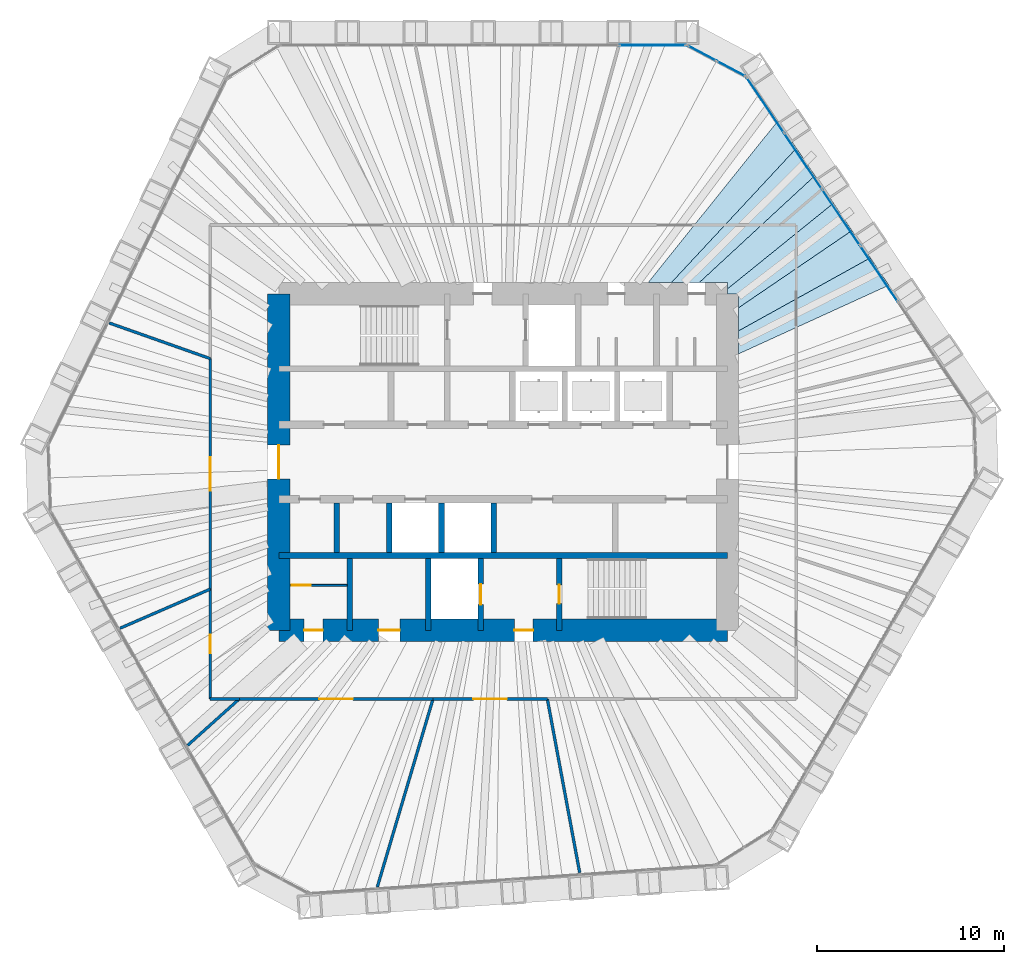
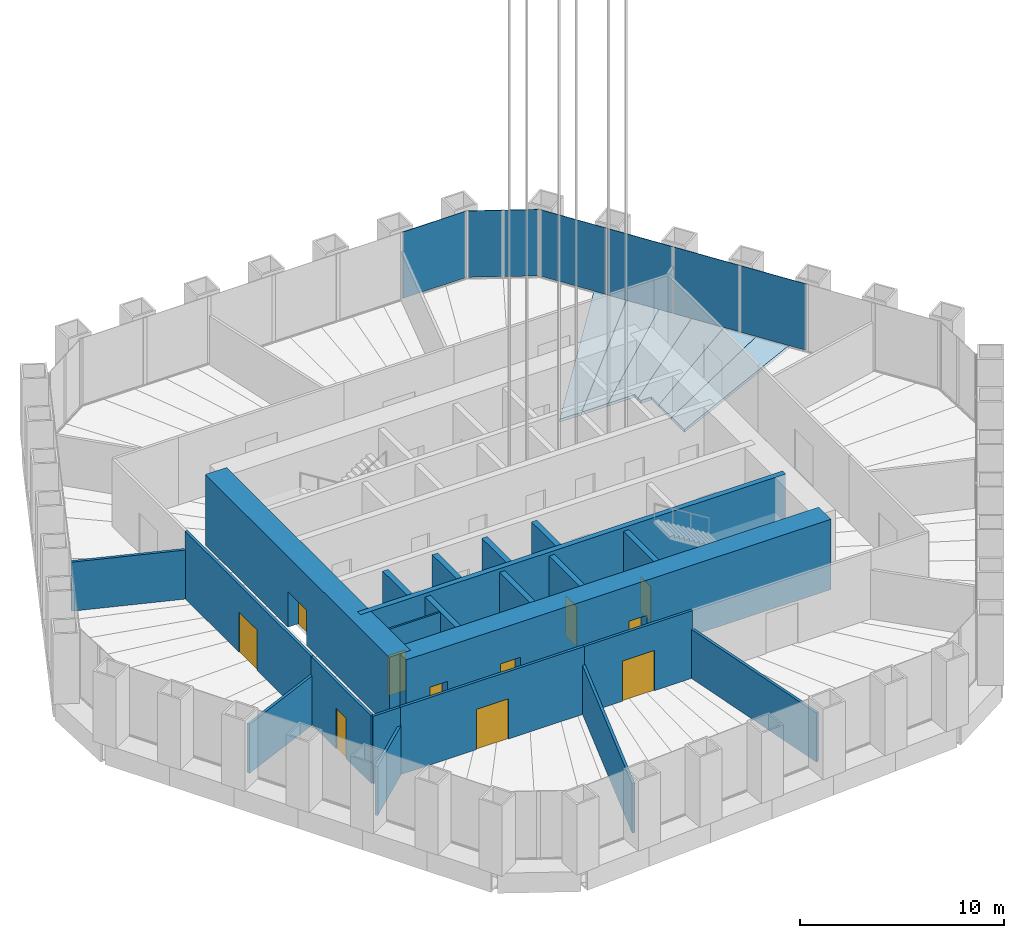
# One storey, part 10 of 20: 22 walls, 11 doors, 7 plates, 6 slabs, 11 openings, 3 elements without a shape of their own.
"""IFC4 building model written with IfcOpenShell, lengths in metres."""

from ifc_helpers import new_model, si_unit, direction, frame, frame_2d, origin, origin_2d, place, context, subcontext, project, spatial, polyline, rectangle, outline, extrude, material, layer, layer_set, type_object, element, fill, aggregate, save


model = new_model("IFC4")

# Units and contexts
model_context = context("Model", 3, precision=1e-05, world=origin(), true_north=direction((0.0, 1.0)))
body_context = subcontext(model_context, "Body", "Model", "MODEL_VIEW")
ifc_project = project(units=[si_unit("LENGTHUNIT", "METRE"), si_unit("AREAUNIT", "SQUARE_METRE"), si_unit("VOLUMEUNIT", "CUBIC_METRE"), si_unit("PLANEANGLEUNIT", "RADIAN"), si_unit("MASSUNIT", "GRAM", prefix="KILO")], contexts=[model_context])

# Site, building, storey
site_placement = place(None, origin())
site = spatial("IfcSite", under=ifc_project, at=site_placement, CompositionType="ELEMENT")
building_placement = place(site_placement, origin())
building = spatial("IfcBuilding", under=site, at=building_placement, Name="Qingtian Harvest Tower", CompositionType="ELEMENT")
storey_placement = place(building_placement, frame((0.0, 0.0, 180.39990234375)))
storey = spatial("IfcBuildingStorey", under=building, at=storey_placement, Name="L38", CompositionType="ELEMENT", Elevation=180.39990234375)

# Slabs
ifc_material_1 = material(Name="Concrete fc' 35 MPa", Category="concrete")
ifc_layer_1 = layer(ifc_material_1, 0.169921875)
ifc_layer_set_1 = layer_set([ifc_layer_1], Name="Composite floor slab FS17 170")
slab_type = type_object("IfcSlabType", Name="Composite floor slab FS17 170", PredefinedType="FLOOR", material=ifc_layer_set_1)
slab_1_placement = place(storey_placement, frame((0.0, 0.0, -0.169921875)))
element("IfcSlab", 1, at=slab_1_placement, inside=storey, type_object=slab_type, Name="Floor slab L38 panel D45", PredefinedType="FLOOR", context=body_context, shape_type="SweptSolid", body=[
    extrude(outline(polyline([(12.60009765625, 7.023681640625), (19.65234375, 10.9306640625), (20.64208984375, 9.46337890625), (12.60009765625, 5.7900390625), (12.60009765625, 7.023681640625)])), origin(), (0.0, 0.0, 1.0), 0.169921875),
])
slab_2_placement = place(storey_placement, frame((0.0, 0.0, -0.169921875)))
element("IfcSlab", 2, at=slab_2_placement, inside=storey, type_object=slab_type, Name="Floor slab L38 panel D46", PredefinedType="FLOOR", context=body_context, shape_type="SweptSolid", body=[
    extrude(outline(polyline([(12.60009765625, 8.260498046875), (18.667236328125, 12.391357421875), (19.65234375, 10.9306640625), (12.60009765625, 7.023681640625), (12.60009765625, 8.260498046875)])), origin(), (0.0, 0.0, 1.0), 0.169921875),
])
slab_3_placement = place(storey_placement, frame((0.0, 0.0, -0.169921875)))
element("IfcSlab", 3, at=slab_3_placement, inside=storey, type_object=slab_type, Name="Floor slab L38 panel D47", PredefinedType="FLOOR", context=body_context, shape_type="SweptSolid", body=[
    extrude(outline(polyline([(12.60009765625, 9.0), (12.0, 9.0), (12.0, 9.2666015625), (17.6787109375, 13.857177734375), (18.667236328125, 12.391357421875), (12.60009765625, 8.260498046875), (12.60009765625, 9.0)])), origin(), (0.0, 0.0, 1.0), 0.169921875),
])
slab_4_placement = place(storey_placement, frame((0.0, 0.0, -0.169921875)))
element("IfcSlab", 4, at=slab_4_placement, inside=storey, type_object=slab_type, Name="Floor slab L38 panel D48", PredefinedType="FLOOR", context=body_context, shape_type="SweptSolid", body=[
    extrude(outline(polyline([(12.0, 9.60009765625), (10.48583984375, 9.60009765625), (16.68505859375, 15.330078125), (17.6787109375, 13.857177734375), (12.0, 9.2666015625), (12.0, 9.60009765625)])), origin(), (0.0, 0.0, 1.0), 0.169921875),
])
slab_5_placement = place(storey_placement, frame((0.0, 0.0, -0.169921875)))
element("IfcSlab", 5, at=slab_5_placement, inside=storey, type_object=slab_type, Name="Floor slab L38 panel D49", PredefinedType="FLOOR", context=body_context, shape_type="SweptSolid", body=[
    extrude(outline(polyline([(8.998291015625, 9.60009765625), (15.695068359375, 16.797607421875), (16.68505859375, 15.330078125), (10.48583984375, 9.60009765625), (8.998291015625, 9.60009765625)])), origin(), (0.0, 0.0, 1.0), 0.169921875),
])
slab_6_placement = place(storey_placement, frame((0.0, 0.0, -0.169921875)))
element("IfcSlab", 6, at=slab_6_placement, inside=storey, type_object=slab_type, Name="Floor slab L38 panel D50", PredefinedType="FLOOR", context=body_context, shape_type="SweptSolid", body=[
    extrude(outline(polyline([(7.751220703125, 9.60009765625), (14.705322265625, 18.26513671875), (15.695068359375, 16.797607421875), (8.998291015625, 9.60009765625), (7.751220703125, 9.60009765625)])), origin(), (0.0, 0.0, 1.0), 0.169921875),
])

# Curtain wall, plate
ifc_material_2 = material(Name="Bronze-anodised aluminium curtain wall", Category="aluminium")
curtain_wall_type = type_object("IfcCurtainWallType", Name="Curtain wall CW3 sky lobby", PredefinedType="USERDEFINED", material=ifc_material_2)
curtain_wall_1_placement = place(storey_placement, origin())
curtain_wall_1 = element("IfcCurtainWall", 7, at=curtain_wall_1_placement, inside=storey, type_object=curtain_wall_type, Name="Curtain wall CW3 L38 N0-5", ObjectType="RECESSED CURTAIN WALL", PredefinedType="USERDEFINED")
ifc_material_3 = material(Name="Bronze-tinted laminated insulating glass", Category="glass")
ifc_layer_2 = layer(ifc_material_3, 0.030029296875)
ifc_layer_set_2 = layer_set([ifc_layer_2], Name="Glazed panel CWP tinted IGU")
plate_type = type_object("IfcPlateType", Name="Glazed panel CWP tinted IGU", PredefinedType="CURTAIN_PANEL", material=ifc_layer_set_2)
plate_1_placement = place(storey_placement, frame((7.996337890625, 22.300048828125, 0.06494140625), z_axis=(0.0, 0.0, 1.0), x_axis=(1.0, 0.0, 0.0)))
plate_1 = element("IfcPlate", 8, at=plate_1_placement, type_object=plate_type, Name="CW3 panel 6.1", PredefinedType="CURTAIN_PANEL", context=body_context, shape_type="SweptSolid", body=[
    extrude(rectangle(XDim=3.5361328125, YDim=0.030029296875, at=origin_2d()), origin(), (0.0, 0.0, 1.0), 3.965087890625),
])
aggregate(curtain_wall_1, [plate_1])

# Curtain wall, plates
curtain_wall_2_placement = place(storey_placement, origin())
curtain_wall_2 = element("IfcCurtainWall", 9, at=curtain_wall_2_placement, inside=storey, type_object=curtain_wall_type, Name="Curtain wall CW3 L38 NC", ObjectType="RECESSED CURTAIN WALL", PredefinedType="USERDEFINED")
plate_2_placement = place(storey_placement, frame((10.634033203125, 21.8720703125, 0.06494140625), z_axis=(0.0, 0.0, 1.0), x_axis=(0.882947592859, -0.469471562786, 0.0)))
plate_2 = element("IfcPlate", 10, at=plate_2_placement, type_object=plate_type, Name="CW3 panel 1.1", PredefinedType="CURTAIN_PANEL", context=body_context, shape_type="SweptSolid", body=[
    extrude(rectangle(XDim=1.69287109375, YDim=0.030029296875, at=origin_2d()), origin(), (0.0, 0.0, 1.0), 3.965087890625),
])
plate_3_placement = place(storey_placement, frame((12.186279296875, 21.046875, 0.06494140625), z_axis=(0.0, 0.0, 1.0), x_axis=(0.882947592859, -0.469471562786, 0.0)))
plate_3 = element("IfcPlate", 11, at=plate_3_placement, type_object=plate_type, Name="CW3 panel 2.1", PredefinedType="CURTAIN_PANEL", context=body_context, shape_type="SweptSolid", body=[
    extrude(rectangle(XDim=1.69287109375, YDim=0.030029296875, at=origin_2d()), origin(), (0.0, 0.0, 1.0), 3.965087890625),
])
aggregate(curtain_wall_2, [plate_2, plate_3])

curtain_wall_3_placement = place(storey_placement, origin())
curtain_wall_3 = element("IfcCurtainWall", 12, at=curtain_wall_3_placement, inside=storey, type_object=curtain_wall_type, Name="Curtain wall CW3 L38 NE0-5", ObjectType="RECESSED CURTAIN WALL", PredefinedType="USERDEFINED")
plate_4_placement = place(storey_placement, frame((14.01611328125, 19.09912109375, 0.06494140625), z_axis=(0.0, 0.0, 1.0), x_axis=(0.559192903471, -0.829037572555, 0.0)))
plate_4 = element("IfcPlate", 13, at=plate_4_placement, type_object=plate_type, Name="CW3 panel 1.1", PredefinedType="CURTAIN_PANEL", context=body_context, shape_type="SweptSolid", body=[
    extrude(rectangle(XDim=3.5361328125, YDim=0.030029296875, at=origin_2d()), origin(), (0.0, 0.0, 1.0), 3.965087890625),
])
plate_5_placement = place(storey_placement, frame((16.038818359375, 16.100341796875, 0.06494140625), z_axis=(0.0, 0.0, 1.0), x_axis=(0.559192903471, -0.829037572555, 0.0)))
plate_5 = element("IfcPlate", 14, at=plate_5_placement, type_object=plate_type, Name="CW3 panel 2.1", PredefinedType="CURTAIN_PANEL", context=body_context, shape_type="SweptSolid", body=[
    extrude(rectangle(XDim=3.568603515625, YDim=0.030029296875, at=origin_2d()), origin(), (0.0, 0.0, 1.0), 3.965087890625),
])
plate_6_placement = place(storey_placement, frame((18.07080078125, 13.087890625, 0.06494140625), z_axis=(0.0, 0.0, 1.0), x_axis=(0.559192903471, -0.829037572555, 0.0)))
plate_6 = element("IfcPlate", 15, at=plate_6_placement, type_object=plate_type, Name="CW3 panel 3.1", PredefinedType="CURTAIN_PANEL", context=body_context, shape_type="SweptSolid", body=[
    extrude(rectangle(XDim=3.568603515625, YDim=0.030029296875, at=origin_2d()), origin(), (0.0, 0.0, 1.0), 3.965087890625),
])
plate_7_placement = place(storey_placement, frame((20.1025390625, 10.07568359375, 0.06494140625), z_axis=(0.0, 0.0, 1.0), x_axis=(0.559192903471, -0.829037572555, 0.0)))
plate_7 = element("IfcPlate", 16, at=plate_7_placement, type_object=plate_type, Name="CW3 panel 4.1", PredefinedType="CURTAIN_PANEL", context=body_context, shape_type="SweptSolid", body=[
    extrude(rectangle(XDim=3.568603515625, YDim=0.030029296875, at=origin_2d()), origin(), (0.0, 0.0, 1.0), 3.965087890625),
])
aggregate(curtain_wall_3, [plate_4, plate_5, plate_6, plate_7])

# Walls
ifc_material_4 = material(Name="Concrete fc' 70 MPa", Category="concrete")
ifc_layer_3 = layer(ifc_material_4, 0.300048828125)
ifc_layer_set_3 = layer_set([ifc_layer_3], Name="Core inner wall RC5 300")
wall_type_1 = type_object("IfcWallType", Name="Core inner wall RC5 300", PredefinedType="SHEAR", material=ifc_layer_set_3)
wall_1_placement = place(storey_placement, frame((-12.0, -5.0, 0.0), z_axis=(0.0, 0.0, 1.0), x_axis=(1.0, 0.0, 0.0)))
element("IfcWall", 17, at=wall_1_placement, inside=storey, type_object=wall_type_1, Name="Core wall IS5 L38", PredefinedType="SHEAR", context=body_context, shape_type="SweptSolid", body=[
    extrude(rectangle(XDim=24.0, YDim=0.300048828125, at=frame_2d((12.0, 0.0))), origin(), (0.0, 0.0, 1.0), 4.2001953125),
])
ifc_material_5 = material(Name="Precast concrete shaft panel", Category="concrete")
ifc_layer_4 = layer(ifc_material_5, 0.300048828125)
ifc_layer_set_4 = layer_set([ifc_layer_4], Name="Core shaft partition SW1 300")
wall_type_2 = type_object("IfcWallType", Name="Core shaft partition SW1 300", PredefinedType="PARTITIONING", material=ifc_layer_set_4)
for number, where, z_axis, x_axis, name in (
    (18, (-8.89990234375, -4.85009765625, 0.0), (0.0, 0.0, 1.0), (0.0, 1.0, 0.0), "Core shaft partition XB1 L38"),
    (19, (-6.10009765625, -4.85009765625, 0.0), (0.0, 0.0, 1.0), (0.0, 1.0, 0.0), "Core shaft partition XB2 L38"),
    (20, (-3.300048828125, -4.85009765625, 0.0), (0.0, 0.0, 1.0), (0.0, 1.0, 0.0), "Core shaft partition XB3 L38"),
    (21, (-0.5, -4.85009765625, 0.0), (0.0, 0.0, 1.0), (0.0, 1.0, 0.0), "Core shaft partition XB4 L38"),
):
    element("IfcWall", number, at=place(storey_placement, frame(where, z_axis=z_axis, x_axis=x_axis)), inside=storey, type_object=wall_type_2, Name=name, PredefinedType="PARTITIONING", context=body_context, shape_type="SweptSolid", body=[
        extrude(rectangle(XDim=2.650146484375, YDim=0.300048828125, at=frame_2d((1.3251953125, 0.0))), origin(), (0.0, 0.0, 1.0), 3.97998046875),
    ])
for number, where, z_axis, x_axis, name in (
    (22, (-8.199951171875, -9.0, 0.0), (0.0, 0.0, 1.0), (0.0, 1.0, 0.0), "Core shaft partition XS1 L38"),
    (23, (-4.0, -9.0, 0.0), (0.0, 0.0, 1.0), (0.0, 1.0, 0.0), "Core shaft partition XS2 L38"),
):
    element("IfcWall", number, at=place(storey_placement, frame(where, z_axis=z_axis, x_axis=x_axis)), inside=storey, type_object=wall_type_2, Name=name, PredefinedType="PARTITIONING", context=body_context, shape_type="SweptSolid", body=[
        extrude(rectangle(XDim=3.85009765625, YDim=0.300048828125, at=frame_2d((1.925048828125, 0.0))), origin(), (0.0, 0.0, 1.0), 3.97998046875),
    ])

# Wall, opening, door
wall_2_placement = place(storey_placement, frame((-1.199951171875, -9.0, 0.0), z_axis=(0.0, 0.0, 1.0), x_axis=(0.0, 1.0, 0.0)))
wall_2 = element("IfcWall", 24, at=wall_2_placement, inside=storey, type_object=wall_type_2, Name="Core shaft partition XS3 L38", PredefinedType="PARTITIONING", context=body_context, shape_type="SweptSolid", body=[
    extrude(rectangle(XDim=3.85009765625, YDim=0.300048828125, at=frame_2d((1.925048828125, 0.0))), origin(), (0.0, 0.0, 1.0), 3.97998046875),
])
opening_1_placement = place(wall_2_placement, frame((1.375, 0.0, 0.0)))
opening_1 = element("IfcOpeningElement", 25, at=opening_1_placement, cuts=wall_2, Name="Opening LD1", PredefinedType="OPENING", context=body_context, shape_type="SweptSolid", body=[
    extrude(rectangle(XDim=1.10009765625, YDim=2.39990234375, at=frame_2d((0.550048828125, 1.199951171875))), frame((0.0, 0.159912109375, 0.0), z_axis=(0.0, -1.0, 0.0), x_axis=(1.0, 0.0, 0.0)), (0.0, 0.0, 1.0), 0.320068359375),
])
ifc_material_6 = material(Name="Stainless steel lift landing door", Category="steel")
door_type_1 = type_object("IfcDoorType", Name="Lift landing door LD1 1 HR", OperationType="DOUBLE_DOOR_SLIDING", PredefinedType="DOOR", material=ifc_material_6)
door_1_placement = place(opening_1_placement, origin())
door_1 = element("IfcDoor", 26, at=door_1_placement, inside=storey, type_object=door_type_1, Name="FL2 landing door L38", OperationType="DOUBLE_DOOR_SLIDING", OverallHeight=2.39990234375, OverallWidth=1.10009765625, PredefinedType="DOOR", context=body_context, shape_type="SweptSolid", body=[
    extrude(rectangle(XDim=1.10009765625, YDim=2.39990234375, at=frame_2d((0.550048828125, 1.199951171875))), frame((0.0, 0.02490234375, 0.0), z_axis=(0.0, -1.0, 0.0), x_axis=(1.0, 0.0, 0.0)), (0.0, 0.0, 1.0), 0.050048828125),
])
fill(opening_1, door_1)

wall_3_placement = place(storey_placement, frame((3.0, -9.0, 0.0), z_axis=(0.0, 0.0, 1.0), x_axis=(0.0, 1.0, 0.0)))
wall_3 = element("IfcWall", 27, at=wall_3_placement, inside=storey, type_object=wall_type_2, Name="Core shaft partition XS4 L38", PredefinedType="PARTITIONING", context=body_context, shape_type="SweptSolid", body=[
    extrude(rectangle(XDim=3.85009765625, YDim=0.300048828125, at=frame_2d((1.925048828125, 0.0))), origin(), (0.0, 0.0, 1.0), 3.97998046875),
])
opening_2_placement = place(wall_3_placement, frame((1.425048828125, 0.0, 0.0)))
opening_2 = element("IfcOpeningElement", 28, at=opening_2_placement, cuts=wall_3, Name="Opening FD1", PredefinedType="OPENING", context=body_context, shape_type="SweptSolid", body=[
    extrude(rectangle(XDim=1.0, YDim=2.10009765625, at=frame_2d((0.5, 1.050048828125))), frame((0.0, 0.159912109375, 0.0), z_axis=(0.0, -1.0, 0.0), x_axis=(1.0, 0.0, 0.0)), (0.0, 0.0, 1.0), 0.320068359375),
])
ifc_material_7 = material(Name="Steel-faced door leaf", Category="steel")
door_type_2 = type_object("IfcDoorType", Name="Fire door FD1 single 1 HR", OperationType="SINGLE_SWING_LEFT", PredefinedType="DOOR", material=ifc_material_7)
door_2_placement = place(opening_2_placement, origin())
door_2 = element("IfcDoor", 29, at=door_2_placement, inside=storey, type_object=door_type_2, Name="S2 door L38", OperationType="SINGLE_SWING_RIGHT", OverallHeight=2.10009765625, OverallWidth=1.0, PredefinedType="DOOR", context=body_context, shape_type="SweptSolid", body=[
    extrude(rectangle(XDim=1.0, YDim=2.10009765625, at=frame_2d((0.5, 1.050048828125))), frame((0.0, 0.02490234375, 0.0), z_axis=(0.0, -1.0, 0.0), x_axis=(1.0, 0.0, 0.0)), (0.0, 0.0, 1.0), 0.050048828125),
])
fill(opening_2, door_2)

# Wall, openings, doors
ifc_material_8 = material(Name="Concrete fc' 70 MPa", Category="concrete")
ifc_layer_5 = layer(ifc_material_8, 1.199951171875)
ifc_layer_set_5 = layer_set([ifc_layer_5], Name="Core wall RC2 1200")
wall_type_3 = type_object("IfcWallType", Name="Core wall RC2 1200", PredefinedType="SHEAR", material=ifc_layer_set_5)
wall_4_placement = place(storey_placement, frame((-12.0, -9.0, 0.0), z_axis=(0.0, 0.0, 1.0), x_axis=(1.0, 0.0, 0.0)))
wall_4 = element("IfcWall", 30, at=wall_4_placement, inside=storey, type_object=wall_type_3, Name="Core wall CS L38", PredefinedType="SHEAR", context=body_context, shape_type="SweptSolid", body=[
    extrude(rectangle(XDim=24.0, YDim=1.199951171875, at=frame_2d((12.0, 0.0))), origin(), (0.0, 0.0, 1.0), 4.2001953125),
])
opening_3_placement = place(wall_4_placement, frame((1.35009765625, 0.0, 0.0)))
opening_3 = element("IfcOpeningElement", 31, at=opening_3_placement, cuts=wall_4, Name="Opening FD1", PredefinedType="OPENING", context=body_context, shape_type="SweptSolid", body=[
    extrude(rectangle(XDim=1.0, YDim=2.10009765625, at=frame_2d((0.5, 1.050048828125))), frame((0.0, 0.60986328125, 0.0), z_axis=(0.0, -1.0, 0.0), x_axis=(1.0, 0.0, 0.0)), (0.0, 0.0, 1.0), 1.219970703125),
])
opening_4_placement = place(wall_4_placement, frame((5.324951171875, 0.0, 0.0)))
opening_4 = element("IfcOpeningElement", 32, at=opening_4_placement, cuts=wall_4, Name="Opening AD1", PredefinedType="OPENING", context=body_context, shape_type="SweptSolid", body=[
    extrude(rectangle(XDim=1.14990234375, YDim=2.10009765625, at=frame_2d((0.574951171875, 1.050048828125))), frame((0.0, 0.60986328125, 0.0), z_axis=(0.0, -1.0, 0.0), x_axis=(1.0, 0.0, 0.0)), (0.0, 0.0, 1.0), 1.219970703125),
])
opening_5_placement = place(wall_4_placement, frame((12.60009765625, 0.0, 0.0)))
opening_5 = element("IfcOpeningElement", 33, at=opening_5_placement, cuts=wall_4, Name="Opening FD1", PredefinedType="OPENING", context=body_context, shape_type="SweptSolid", body=[
    extrude(rectangle(XDim=1.0, YDim=2.10009765625, at=frame_2d((0.5, 1.050048828125))), frame((0.0, 0.60986328125, 0.0), z_axis=(0.0, -1.0, 0.0), x_axis=(1.0, 0.0, 0.0)), (0.0, 0.0, 1.0), 1.219970703125),
])
ifc_material_9 = material(Name="Laminated timber door leaf", Category="wood")
door_type_3 = type_object("IfcDoorType", Name="Accessible WC door AD1 single", OperationType="SINGLE_SWING_LEFT", PredefinedType="DOOR", material=ifc_material_9)
door_3_placement = place(opening_4_placement, origin())
door_3 = element("IfcDoor", 34, at=door_3_placement, inside=storey, type_object=door_type_3, Name="AWC door L38", OperationType="SINGLE_SWING_LEFT", OverallHeight=2.10009765625, OverallWidth=1.14990234375, PredefinedType="DOOR", context=body_context, shape_type="SweptSolid", body=[
    extrude(rectangle(XDim=1.14990234375, YDim=2.10009765625, at=frame_2d((0.574951171875, 1.050048828125))), frame((0.0, 0.02490234375, 0.0), z_axis=(0.0, -1.0, 0.0), x_axis=(1.0, 0.0, 0.0)), (0.0, 0.0, 1.0), 0.050048828125),
])
fill(opening_4, door_3)
door_4_placement = place(opening_3_placement, origin())
door_4 = element("IfcDoor", 35, at=door_4_placement, inside=storey, type_object=door_type_2, Name="CLN door L38", OperationType="SINGLE_SWING_RIGHT", OverallHeight=2.10009765625, OverallWidth=1.0, PredefinedType="DOOR", context=body_context, shape_type="SweptSolid", body=[
    extrude(rectangle(XDim=1.0, YDim=2.10009765625, at=frame_2d((0.5, 1.050048828125))), frame((0.0, 0.02490234375, 0.0), z_axis=(0.0, -1.0, 0.0), x_axis=(1.0, 0.0, 0.0)), (0.0, 0.0, 1.0), 0.050048828125),
])
fill(opening_3, door_4)
door_5_placement = place(opening_5_placement, origin())
door_5 = element("IfcDoor", 36, at=door_5_placement, inside=storey, type_object=door_type_2, Name="V2 door L38", OperationType="SINGLE_SWING_LEFT", OverallHeight=2.10009765625, OverallWidth=1.0, PredefinedType="DOOR", context=body_context, shape_type="SweptSolid", body=[
    extrude(rectangle(XDim=1.0, YDim=2.10009765625, at=frame_2d((0.5, 1.050048828125))), frame((0.0, 0.02490234375, 0.0), z_axis=(0.0, -1.0, 0.0), x_axis=(1.0, 0.0, 0.0)), (0.0, 0.0, 1.0), 0.050048828125),
])
fill(opening_5, door_5)

# Wall, opening, door
wall_5_placement = place(storey_placement, frame((-12.0, -9.0, 0.0), z_axis=(0.0, 0.0, 1.0), x_axis=(0.0, 1.0, 0.0)))
wall_5 = element("IfcWall", 37, at=wall_5_placement, inside=storey, type_object=wall_type_3, Name="Core wall CW L38", PredefinedType="SHEAR", context=body_context, shape_type="SweptSolid", body=[
    extrude(rectangle(XDim=18.0, YDim=1.199951171875, at=frame_2d((9.0, 0.0))), origin(), (0.0, 0.0, 1.0), 4.2001953125),
])
opening_6_placement = place(wall_5_placement, frame((8.10009765625, 0.0, 0.0)))
opening_6 = element("IfcOpeningElement", 38, at=opening_6_placement, cuts=wall_5, Name="Opening FD2", PredefinedType="OPENING", context=body_context, shape_type="SweptSolid", body=[
    extrude(rectangle(XDim=1.800048828125, YDim=2.10009765625, at=frame_2d((0.89990234375, 1.050048828125))), frame((0.0, 0.60986328125, 0.0), z_axis=(0.0, -1.0, 0.0), x_axis=(1.0, 0.0, 0.0)), (0.0, 0.0, 1.0), 1.219970703125),
])
ifc_material_10 = material(Name="Steel-faced door leaf", Category="steel")
door_type_4 = type_object("IfcDoorType", Name="Fire door FD2 double 1 HR", OperationType="DOUBLE_DOOR_DOUBLE_SWING", PredefinedType="DOOR", material=ifc_material_10)
door_6_placement = place(opening_6_placement, origin())
door_6 = element("IfcDoor", 39, at=door_6_placement, inside=storey, type_object=door_type_4, Name="LOBBY-W door L38", OperationType="DOUBLE_DOOR_DOUBLE_SWING", OverallHeight=2.10009765625, OverallWidth=1.800048828125, PredefinedType="DOOR", context=body_context, shape_type="SweptSolid", body=[
    extrude(rectangle(XDim=1.800048828125, YDim=2.10009765625, at=frame_2d((0.89990234375, 1.050048828125))), frame((0.0, 0.02490234375, 0.0), z_axis=(0.0, -1.0, 0.0), x_axis=(1.0, 0.0, 0.0)), (0.0, 0.0, 1.0), 0.050048828125),
])
fill(opening_6, door_6)

# Wall
ifc_material_11 = material(Name="Gypsum board on steel studs", Category="steel")
ifc_layer_6 = layer(ifc_material_11, 0.14990234375)
ifc_layer_set_6 = layer_set([ifc_layer_6], Name="Partition PT1 150")
wall_type_4 = type_object("IfcWallType", Name="Partition PT1 150", PredefinedType="PARTITIONING", material=ifc_layer_set_6)
wall_6_placement = place(storey_placement, frame((4.09326171875, -21.96875, 0.0), z_axis=(0.0, 0.0, 1.0), x_axis=(-0.183176675572, 0.983080009728, 0.0)))
element("IfcWall", 40, at=wall_6_placement, inside=storey, type_object=wall_type_4, Name="Conference room wall L38", PredefinedType="PARTITIONING", context=body_context, shape_type="SweptSolid", body=[
    extrude(rectangle(XDim=9.45361328125, YDim=0.14990234375, at=frame_2d((4.726806640625, 0.0))), origin(), (0.0, 0.0, 1.0), 2.93017578125),
])

# Wall, opening, door
wall_7_placement = place(storey_placement, frame((2.361572265625, -12.675048828125, 0.0), z_axis=(0.0, 0.0, 1.0), x_axis=(-1.0, 0.0, 0.0)))
wall_7 = element("IfcWall", 41, at=wall_7_placement, inside=storey, type_object=wall_type_4, Name="Conference room wall L38", PredefinedType="PARTITIONING", context=body_context, shape_type="SweptSolid", body=[
    extrude(rectangle(XDim=6.116455078125, YDim=0.14990234375, at=frame_2d((3.05810546875, 0.0))), origin(), (0.0, 0.0, 1.0), 4.030029296875),
])
opening_7_placement = place(wall_7_placement, frame((2.158203125, 0.0, 0.0)))
opening_7 = element("IfcOpeningElement", 42, at=opening_7_placement, cuts=wall_7, Name="Opening D3", PredefinedType="OPENING", context=body_context, shape_type="SweptSolid", body=[
    extrude(rectangle(XDim=1.800048828125, YDim=2.39990234375, at=frame_2d((0.89990234375, 1.199951171875))), frame((0.0, 0.0849609375, 0.0), z_axis=(0.0, -1.0, 0.0), x_axis=(1.0, 0.0, 0.0)), (0.0, 0.0, 1.0), 0.169921875),
])
ifc_material_12 = material(Name="Laminated timber door leaf", Category="wood")
door_type_5 = type_object("IfcDoorType", Name="Room door D3 double", OperationType="DOUBLE_DOOR_DOUBLE_SWING", PredefinedType="DOOR", material=ifc_material_12)
door_7_placement = place(opening_7_placement, origin())
door_7 = element("IfcDoor", 43, at=door_7_placement, inside=storey, type_object=door_type_5, Name="Conference room door L38", OperationType="DOUBLE_DOOR_DOUBLE_SWING", OverallHeight=2.39990234375, OverallWidth=1.800048828125, PredefinedType="DOOR", context=body_context, shape_type="SweptSolid", body=[
    extrude(rectangle(XDim=1.800048828125, YDim=2.39990234375, at=frame_2d((0.89990234375, 1.199951171875))), frame((0.0, 0.02490234375, 0.0), z_axis=(0.0, -1.0, 0.0), x_axis=(1.0, 0.0, 0.0)), (0.0, 0.0, 1.0), 0.050048828125),
])
fill(opening_7, door_7)

# Wall
wall_8_placement = place(storey_placement, frame((-6.734130859375, -22.7314453125, 0.0), z_axis=(0.0, 0.0, 1.0), x_axis=(0.284051080164, 0.958809148818, 0.0)))
element("IfcWall", 44, at=wall_8_placement, inside=storey, type_object=wall_type_4, Name="Conference room wall L38", PredefinedType="PARTITIONING", context=body_context, shape_type="SweptSolid", body=[
    extrude(rectangle(XDim=10.488525390625, YDim=0.14990234375, at=frame_2d((5.244140625, 0.0))), origin(), (0.0, 0.0, 1.0), 2.93017578125),
])

# Wall, opening, door
wall_9_placement = place(storey_placement, frame((-3.7548828125, -12.675048828125, 0.0), z_axis=(0.0, 0.0, 1.0), x_axis=(-1.0, 0.0, 0.0)))
wall_9 = element("IfcWall", 45, at=wall_9_placement, inside=storey, type_object=wall_type_4, Name="Conference room wall L38", PredefinedType="PARTITIONING", context=body_context, shape_type="SweptSolid", body=[
    extrude(rectangle(XDim=10.364990234375, YDim=0.14990234375, at=frame_2d((5.1826171875, 0.0))), origin(), (0.0, 0.0, 1.0), 4.030029296875),
])
opening_8_placement = place(wall_9_placement, frame((4.282470703125, 0.0, 0.0)))
opening_8 = element("IfcOpeningElement", 46, at=opening_8_placement, cuts=wall_9, Name="Opening D3", PredefinedType="OPENING", context=body_context, shape_type="SweptSolid", body=[
    extrude(rectangle(XDim=1.800048828125, YDim=2.39990234375, at=frame_2d((0.89990234375, 1.199951171875))), frame((0.0, 0.0849609375, 0.0), z_axis=(0.0, -1.0, 0.0), x_axis=(1.0, 0.0, 0.0)), (0.0, 0.0, 1.0), 0.169921875),
])
door_8_placement = place(opening_8_placement, origin())
door_8 = element("IfcDoor", 47, at=door_8_placement, inside=storey, type_object=door_type_5, Name="Conference room door L38", OperationType="DOUBLE_DOOR_DOUBLE_SWING", OverallHeight=2.39990234375, OverallWidth=1.800048828125, PredefinedType="DOOR", context=body_context, shape_type="SweptSolid", body=[
    extrude(rectangle(XDim=1.800048828125, YDim=2.39990234375, at=frame_2d((0.89990234375, 1.199951171875))), frame((0.0, 0.02490234375, 0.0), z_axis=(0.0, -1.0, 0.0), x_axis=(1.0, 0.0, 0.0)), (0.0, 0.0, 1.0), 0.050048828125),
])
fill(opening_8, door_8)

# Walls
wall_10_placement = place(storey_placement, frame((-16.885498046875, -15.15771484375, 0.0), z_axis=(0.0, 0.0, 1.0), x_axis=(0.744149337628, 0.668013295757, 0.0)))
element("IfcWall", 48, at=wall_10_placement, inside=storey, type_object=wall_type_4, Name="Pantry wall L38", PredefinedType="PARTITIONING", context=body_context, shape_type="SweptSolid", body=[
    extrude(rectangle(XDim=3.716552734375, YDim=0.14990234375, at=frame_2d((1.8583984375, 0.0))), origin(), (0.0, 0.0, 1.0), 2.93017578125),
])
wall_11_placement = place(storey_placement, frame((-14.119873046875, -12.675048828125, 0.0), z_axis=(0.0, 0.0, 1.0), x_axis=(-1.0, 0.0, 0.0)))
element("IfcWall", 49, at=wall_11_placement, inside=storey, type_object=wall_type_4, Name="Pantry wall L38", PredefinedType="PARTITIONING", context=body_context, shape_type="SweptSolid", body=[
    extrude(rectangle(XDim=1.55517578125, YDim=0.14990234375, at=frame_2d((0.777587890625, 0.0))), origin(), (0.0, 0.0, 1.0), 4.030029296875),
])

# Wall, opening, door
wall_12_placement = place(storey_placement, frame((-15.675048828125, -12.675048828125, 0.0), z_axis=(0.0, 0.0, 1.0), x_axis=(0.0, 1.0, 0.0)))
wall_12 = element("IfcWall", 50, at=wall_12_placement, inside=storey, type_object=wall_type_4, Name="Pantry wall L38", PredefinedType="PARTITIONING", context=body_context, shape_type="SweptSolid", body=[
    extrude(rectangle(XDim=5.876953125, YDim=0.14990234375, at=frame_2d((2.9384765625, 0.0))), origin(), (0.0, 0.0, 1.0), 4.030029296875),
])
opening_9_placement = place(wall_12_placement, frame((2.4384765625, 0.0, 0.0)))
opening_9 = element("IfcOpeningElement", 51, at=opening_9_placement, cuts=wall_12, Name="Opening D2", PredefinedType="OPENING", context=body_context, shape_type="SweptSolid", body=[
    extrude(rectangle(XDim=1.0, YDim=2.39990234375, at=frame_2d((0.5, 1.199951171875))), frame((0.0, 0.0849609375, 0.0), z_axis=(0.0, -1.0, 0.0), x_axis=(1.0, 0.0, 0.0)), (0.0, 0.0, 1.0), 0.169921875),
])
ifc_material_13 = material(Name="Laminated timber door leaf", Category="wood")
door_type_6 = type_object("IfcDoorType", Name="Room door D2 single", OperationType="SINGLE_SWING_LEFT", PredefinedType="DOOR", material=ifc_material_13)
door_9_placement = place(opening_9_placement, origin())
door_9 = element("IfcDoor", 52, at=door_9_placement, inside=storey, type_object=door_type_6, Name="Pantry door L38", OperationType="SINGLE_SWING_LEFT", OverallHeight=2.39990234375, OverallWidth=1.0, PredefinedType="DOOR", context=body_context, shape_type="SweptSolid", body=[
    extrude(rectangle(XDim=1.0, YDim=2.39990234375, at=frame_2d((0.5, 1.199951171875))), frame((0.0, 0.02490234375, 0.0), z_axis=(0.0, -1.0, 0.0), x_axis=(1.0, 0.0, 0.0)), (0.0, 0.0, 1.0), 0.050048828125),
])
fill(opening_9, door_9)

# Wall
wall_13_placement = place(storey_placement, frame((-20.501708984375, -8.891357421875, 0.0), z_axis=(0.0, 0.0, 1.0), x_axis=(0.917437074673, 0.397880904312, 0.0)))
element("IfcWall", 53, at=wall_13_placement, inside=storey, type_object=wall_type_4, Name="Cafe wall L38", PredefinedType="PARTITIONING", context=body_context, shape_type="SweptSolid", body=[
    extrude(rectangle(XDim=5.260986328125, YDim=0.14990234375, at=frame_2d((2.63037109375, 0.0))), origin(), (0.0, 0.0, 1.0), 2.93017578125),
])

# Wall, opening, door
wall_14_placement = place(storey_placement, frame((-15.675048828125, -6.798095703125, 0.0), z_axis=(0.0, 0.0, 1.0), x_axis=(0.0, 1.0, 0.0)))
wall_14 = element("IfcWall", 54, at=wall_14_placement, inside=storey, type_object=wall_type_4, Name="Cafe wall L38", PredefinedType="PARTITIONING", context=body_context, shape_type="SweptSolid", body=[
    extrude(rectangle(XDim=12.332275390625, YDim=0.14990234375, at=frame_2d((6.166015625, 0.0))), origin(), (0.0, 0.0, 1.0), 4.030029296875),
])
opening_10_placement = place(wall_14_placement, frame((5.26611328125, 0.0, 0.0)))
opening_10 = element("IfcOpeningElement", 55, at=opening_10_placement, cuts=wall_14, Name="Opening D3", PredefinedType="OPENING", context=body_context, shape_type="SweptSolid", body=[
    extrude(rectangle(XDim=1.800048828125, YDim=2.39990234375, at=frame_2d((0.89990234375, 1.199951171875))), frame((0.0, 0.0849609375, 0.0), z_axis=(0.0, -1.0, 0.0), x_axis=(1.0, 0.0, 0.0)), (0.0, 0.0, 1.0), 0.169921875),
])
door_10_placement = place(opening_10_placement, origin())
door_10 = element("IfcDoor", 56, at=door_10_placement, inside=storey, type_object=door_type_5, Name="Cafe door L38", OperationType="DOUBLE_DOOR_DOUBLE_SWING", OverallHeight=2.39990234375, OverallWidth=1.800048828125, PredefinedType="DOOR", context=body_context, shape_type="SweptSolid", body=[
    extrude(rectangle(XDim=1.800048828125, YDim=2.39990234375, at=frame_2d((0.89990234375, 1.199951171875))), frame((0.0, 0.02490234375, 0.0), z_axis=(0.0, -1.0, 0.0), x_axis=(1.0, 0.0, 0.0)), (0.0, 0.0, 1.0), 0.050048828125),
])
fill(opening_10, door_10)

# Wall
wall_15_placement = place(storey_placement, frame((-21.072021484375, 7.439453125, 0.0), z_axis=(0.0, 0.0, 1.0), x_axis=(0.942965130718, -0.332891517241, 0.0)))
element("IfcWall", 57, at=wall_15_placement, inside=storey, type_object=wall_type_4, Name="Training room wall L38", PredefinedType="PARTITIONING", context=body_context, shape_type="SweptSolid", body=[
    extrude(rectangle(XDim=5.723388671875, YDim=0.14990234375, at=frame_2d((2.86181640625, 0.0))), origin(), (0.0, 0.0, 1.0), 2.93017578125),
])

# Wall, opening, door
ifc_material_14 = material(Name="Concrete block partition", Category="concrete")
ifc_layer_7 = layer(ifc_material_14, 0.10009765625)
ifc_layer_set_7 = layer_set([ifc_layer_7], Name="Store partition PT3 100")
wall_type_5 = type_object("IfcWallType", Name="Store partition PT3 100", PredefinedType="PARTITIONING", material=ifc_layer_set_7)
wall_16_placement = place(storey_placement, frame((-11.39990234375, -6.60009765625, 0.0), z_axis=(0.0, 0.0, 1.0), x_axis=(1.0, 0.0, 0.0)))
wall_16 = element("IfcWall", 58, at=wall_16_placement, inside=storey, type_object=wall_type_5, Name="Waste store wall L38", PredefinedType="PARTITIONING", context=body_context, shape_type="SweptSolid", body=[
    extrude(rectangle(XDim=3.0498046875, YDim=0.10009765625, at=frame_2d((1.52490234375, 0.0))), origin(), (0.0, 0.0, 1.0), 3.97998046875),
])
opening_11_placement = place(wall_16_placement, frame((0.10009765625, 0.0, 0.0)))
opening_11 = element("IfcOpeningElement", 59, at=opening_11_placement, cuts=wall_16, Name="Opening D2", PredefinedType="OPENING", context=body_context, shape_type="SweptSolid", body=[
    extrude(rectangle(XDim=1.0, YDim=2.39990234375, at=frame_2d((0.5, 1.199951171875))), frame((0.0, 0.06005859375, 0.0), z_axis=(0.0, -1.0, 0.0), x_axis=(1.0, 0.0, 0.0)), (0.0, 0.0, 1.0), 0.1201171875),
])
door_11_placement = place(opening_11_placement, origin())
door_11 = element("IfcDoor", 60, at=door_11_placement, inside=storey, type_object=door_type_6, Name="Waste store door L38", OperationType="SINGLE_SWING_RIGHT", OverallHeight=2.39990234375, OverallWidth=1.0, PredefinedType="DOOR", context=body_context, shape_type="SweptSolid", body=[
    extrude(rectangle(XDim=1.0, YDim=2.39990234375, at=frame_2d((0.5, 1.199951171875))), frame((0.0, 0.02490234375, 0.0), z_axis=(0.0, -1.0, 0.0), x_axis=(1.0, 0.0, 0.0)), (0.0, 0.0, 1.0), 0.050048828125),
])
fill(opening_11, door_11)

save(model, "model.ifc")
